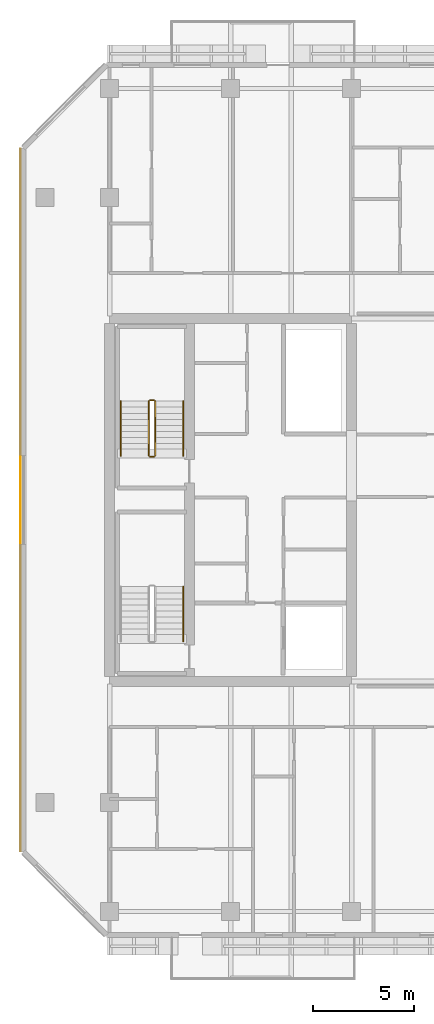
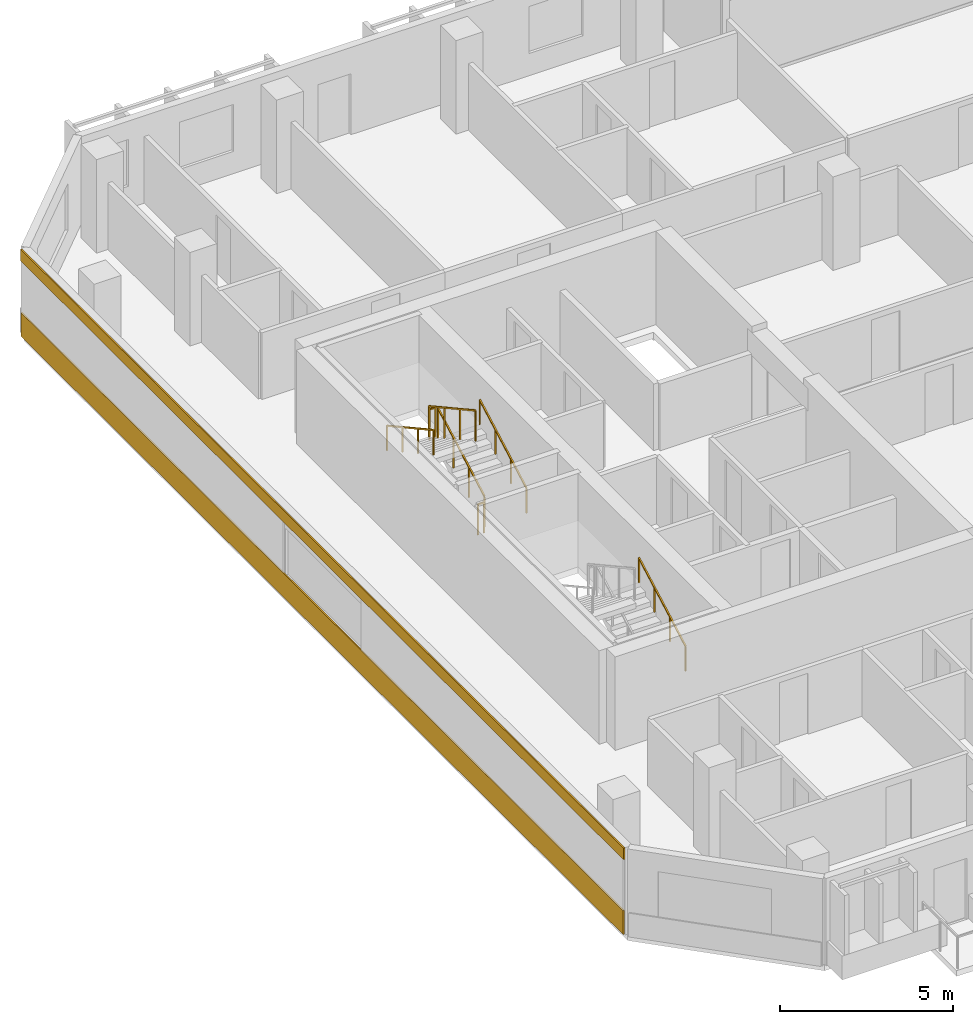
# One storey, part 17 of 20: 7 railings, 2 coverings.
"""IFC4 building model written with IfcOpenShell, lengths in metres."""

from ifc_helpers import new_model, si_unit, direction, frame, origin, origin_2d, place, context, subcontext, project, spatial, rectangle, extrude, material, layer, layer_set, type_object, element, save


model = new_model("IFC4")

# Units and contexts
model_context = context("Model", 3, precision=1e-05, world=origin(), true_north=direction((0.0, 1.0)))
body_context = subcontext(model_context, "Body", "Model", "MODEL_VIEW")
ifc_project = project(units=[si_unit("LENGTHUNIT", "METRE"), si_unit("AREAUNIT", "SQUARE_METRE"), si_unit("VOLUMEUNIT", "CUBIC_METRE"), si_unit("PLANEANGLEUNIT", "RADIAN"), si_unit("MASSUNIT", "GRAM", prefix="KILO")], contexts=[model_context])

# Site, building, storey
site_placement = place(None, origin())
site = spatial("IfcSite", under=ifc_project, at=site_placement, CompositionType="ELEMENT")
building_placement = place(site_placement, origin())
building = spatial("IfcBuilding", under=site, at=building_placement, Name="Tanjung Sevakor Pilgrim Tower", CompositionType="ELEMENT")
storey_placement = place(building_placement, frame((0.0, 0.0, 141.89990234375)))
storey = spatial("IfcBuildingStorey", under=building, at=storey_placement, Name="L39", CompositionType="ELEMENT", Elevation=141.89990234375)

# Coverings
ifc_material_1 = material(Name="Reconstructed Limestone Cladding", Category="masonry")
ifc_layer = layer(ifc_material_1, 0.044921875)
ifc_layer_set = layer_set([ifc_layer], Name="COV-CLAD-LIMESTONE")
covering_type = type_object("IfcCoveringType", Name="COV-CLAD-LIMESTONE", PredefinedType="CLADDING", material=ifc_layer_set)
covering_1_placement = place(storey_placement, frame((19.577392578125, 33.60009765625, 0.01025390625), z_axis=(0.0, 0.0, 1.0), x_axis=(0.0, -1.0, 0.0)))
element("IfcCovering", 1, at=covering_1_placement, inside=storey, type_object=covering_type, Name="L39 Warm Limestone Sill Spandrel EW-L39-MAIN-15-1", PredefinedType="CLADDING", context=body_context, shape_type="SweptSolid", body=[
    extrude(rectangle(XDim=34.81640625, YDim=0.044921875, at=origin_2d()), origin(), (0.0, 0.0, 1.0), 0.840087890625),
])
covering_2_placement = place(storey_placement, frame((19.577392578125, 33.60009765625, 2.66015625), z_axis=(0.0, 0.0, 1.0), x_axis=(0.0, -1.0, 0.0)))
element("IfcCovering", 2, at=covering_2_placement, inside=storey, type_object=covering_type, Name="L39 Warm Limestone Cornice Spandrel EW-L39-MAIN-15", PredefinedType="CLADDING", context=body_context, shape_type="SweptSolid", body=[
    extrude(rectangle(XDim=34.8564453125, YDim=0.044921875, at=origin_2d()), origin(), (0.0, 0.0, 1.0), 0.409912109375),
])

# Railings
ifc_material_2 = material(Name="Steel S355J2", Category="steel")
railing_type_1 = type_object("IfcRailingType", Name="RL-STAIR-GUARD", PredefinedType="GUARDRAIL", material=ifc_material_2)
railing_1_placement = place(storey_placement, frame((26.25, 35.800048828125, 0.1650390625)))
element("IfcRailing", 3, at=railing_1_placement, inside=storey, type_object=railing_type_1, Name="L39 TS-W2 stair guard 1", PredefinedType="GUARDRAIL", context=body_context, shape_type="SweptSolid", body=[
    extrude(rectangle(XDim=0.0479, YDim=0.0479), frame((0.0, 0.0, 1.076171875), z_axis=(0.0, 0.876197507361, 0.481952205197), x_axis=(-1.0, 0.0, 0.0)), (0.0, 0.0, 1.0), 3.08154296875),
    extrude(rectangle(XDim=0.042, YDim=0.042), origin(), (0.0, 0.0, 1.0), 1.052001953125),
    extrude(rectangle(XDim=0.042, YDim=0.042), frame((0.0, 0.89990234375, 0.4951171875)), (0.0, 0.0, 1.0), 1.052001953125),
    extrude(rectangle(XDim=0.042, YDim=0.042), frame((0.0, 1.800048828125, 0.989990234375)), (0.0, 0.0, 1.0), 1.052001953125),
    extrude(rectangle(XDim=0.042, YDim=0.042), frame((0.0, 2.699951171875, 1.485107421875)), (0.0, 0.0, 1.0), 1.052001953125),
])
railing_2_placement = place(storey_placement, frame((26.199951171875, 38.550048828125, 1.650146484375)))
element("IfcRailing", 4, at=railing_2_placement, inside=storey, type_object=railing_type_1, Name="L39 TS-W2 stair guard 2", PredefinedType="GUARDRAIL", context=body_context, shape_type="SweptSolid", body=[
    extrude(rectangle(XDim=0.0479, YDim=0.0479), frame((0.0, 0.0, 1.076171875), z_axis=(-1.0, 0.0, 0.0), x_axis=(0.0, -1.0, 0.0)), (0.0, 0.0, 1.0), 0.199951171875),
    extrude(rectangle(XDim=0.042, YDim=0.042), origin(), (0.0, 0.0, 1.0), 1.052001953125),
    extrude(rectangle(XDim=0.042, YDim=0.042), frame((-0.199951171875, 0.0, 0.0)), (0.0, 0.0, 1.0), 1.052001953125),
])
railing_3_placement = place(storey_placement, frame((25.949951171875, 38.5, 1.815185546875)))
element("IfcRailing", 5, at=railing_3_placement, inside=storey, type_object=railing_type_1, Name="L39 TS-W2 stair guard 3", PredefinedType="GUARDRAIL", context=body_context, shape_type="SweptSolid", body=[
    extrude(rectangle(XDim=0.0479, YDim=0.0479), frame((0.0, 0.0, 1.076171875), z_axis=(0.0, -0.876230963923, 0.481891375584), x_axis=(1.0, 0.0, 0.0)), (0.0, 0.0, 1.0), 3.081298828125),
    extrude(rectangle(XDim=0.042, YDim=0.042), origin(), (0.0, 0.0, 1.0), 1.052001953125),
    extrude(rectangle(XDim=0.042, YDim=0.042), frame((0.0, -0.89990234375, 0.494873046875)), (0.0, 0.0, 1.0), 1.052001953125),
    extrude(rectangle(XDim=0.042, YDim=0.042), frame((0.0, -1.800048828125, 0.989990234375)), (0.0, 0.0, 1.0), 1.052001953125),
    extrude(rectangle(XDim=0.042, YDim=0.042), frame((0.0, -2.699951171875, 1.48486328125)), (0.0, 0.0, 1.0), 1.052001953125),
])
railing_4_placement = place(storey_placement, frame((26.199951171875, 35.75, 0.0)))
element("IfcRailing", 6, at=railing_4_placement, inside=storey, type_object=railing_type_1, Name="L39 TS-W2 stair guard 4", PredefinedType="GUARDRAIL", context=body_context, shape_type="SweptSolid", body=[
    extrude(rectangle(XDim=0.0479, YDim=0.0479), frame((0.0, 0.0, 1.076171875), z_axis=(-1.0, 0.0, 0.0), x_axis=(0.0, -1.0, 0.0)), (0.0, 0.0, 1.0), 0.199951171875),
    extrude(rectangle(XDim=0.042, YDim=0.042), origin(), (0.0, 0.0, 1.0), 1.052001953125),
    extrude(rectangle(XDim=0.042, YDim=0.042), frame((-0.199951171875, 0.0, 0.0)), (0.0, 0.0, 1.0), 1.052001953125),
])
ifc_material_3 = material(Name="Steel S355J2", Category="steel")
railing_type_2 = type_object("IfcRailingType", Name="RL-STAIR-HAND", PredefinedType="HANDRAIL", material=ifc_material_3)
for number, where, name in (
    (7, (27.64990234375, 26.60009765625, 0.1650390625), "L39 TS-W1 stair handrail 1"),
    (8, (27.64990234375, 35.800048828125, 0.1650390625), "L39 TS-W2 stair handrail 1"),
):
    element("IfcRailing", number, at=place(storey_placement, frame(where)), inside=storey, type_object=railing_type_2, Name=name, PredefinedType="HANDRAIL", context=body_context, shape_type="SweptSolid", body=[
        extrude(rectangle(XDim=0.0479, YDim=0.0479), frame((0.0, 0.0, 0.8759765625), z_axis=(0.0, 0.876197507361, 0.481952205197), x_axis=(-1.0, 0.0, 0.0)), (0.0, 0.0, 1.0), 3.08154296875),
        extrude(rectangle(XDim=0.042, YDim=0.042), origin(), (0.0, 0.0, 1.0), 0.851806640625),
        extrude(rectangle(XDim=0.042, YDim=0.042), frame((0.0, 0.89990234375, 0.4951171875)), (0.0, 0.0, 1.0), 0.851806640625),
        extrude(rectangle(XDim=0.042, YDim=0.042), frame((0.0, 1.800048828125, 0.989990234375)), (0.0, 0.0, 1.0), 0.851806640625),
        extrude(rectangle(XDim=0.042, YDim=0.042), frame((0.0, 2.699951171875, 1.485107421875)), (0.0, 0.0, 1.0), 0.851806640625),
    ])
railing_5_placement = place(storey_placement, frame((24.550048828125, 38.5, 1.815185546875)))
element("IfcRailing", 9, at=railing_5_placement, inside=storey, type_object=railing_type_2, Name="L39 TS-W2 stair handrail 2", PredefinedType="HANDRAIL", context=body_context, shape_type="SweptSolid", body=[
    extrude(rectangle(XDim=0.0479, YDim=0.0479), frame((0.0, 0.0, 0.8759765625), z_axis=(0.0, -0.876230963923, 0.481891375584), x_axis=(1.0, 0.0, 0.0)), (0.0, 0.0, 1.0), 3.081298828125),
    extrude(rectangle(XDim=0.042, YDim=0.042), origin(), (0.0, 0.0, 1.0), 0.851806640625),
    extrude(rectangle(XDim=0.042, YDim=0.042), frame((0.0, -0.89990234375, 0.494873046875)), (0.0, 0.0, 1.0), 0.851806640625),
    extrude(rectangle(XDim=0.042, YDim=0.042), frame((0.0, -1.800048828125, 0.989990234375)), (0.0, 0.0, 1.0), 0.851806640625),
    extrude(rectangle(XDim=0.042, YDim=0.042), frame((0.0, -2.699951171875, 1.48486328125)), (0.0, 0.0, 1.0), 0.851806640625),
])

save(model, "model.ifc")
